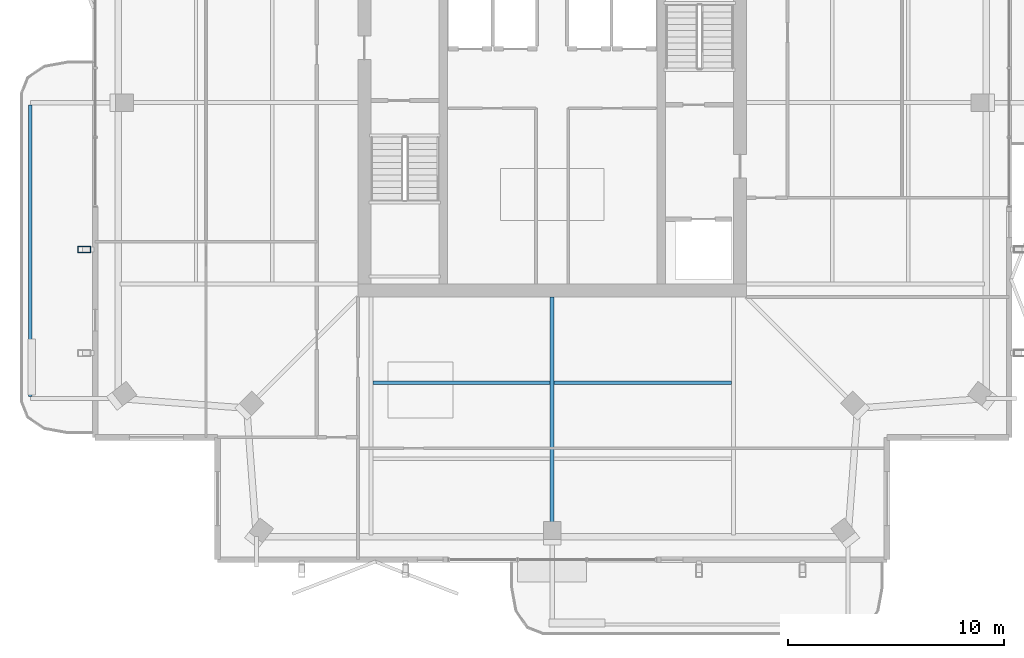
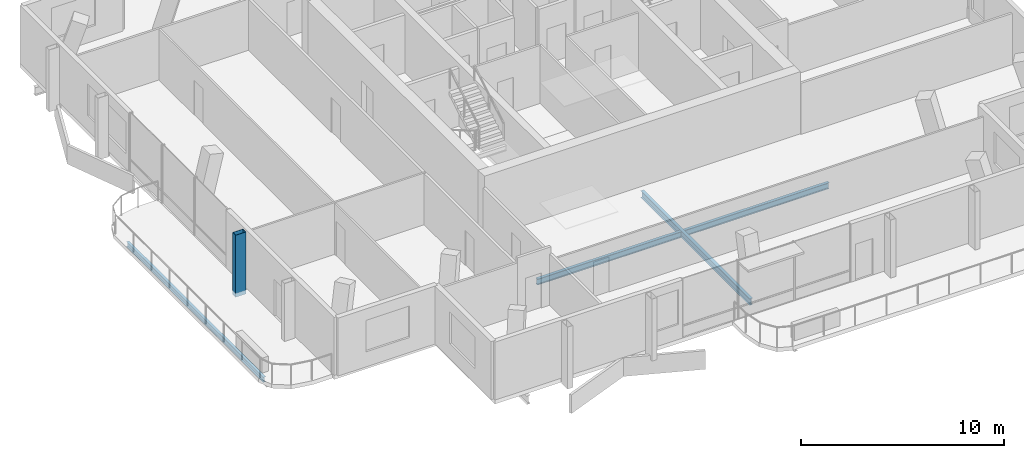
# One storey, part 5 of 20: 4 beams, 1 member.
"""IFC4 building model written with IfcOpenShell, lengths in metres."""

from ifc_helpers import new_model, si_unit, direction, frame, origin, origin_2d, place, context, subcontext, project, spatial, hollow_rectangle, i_section, extrude, material, material_profile, profile_set, type_object, element, save


model = new_model("IFC4")

# Units and contexts
model_context = context("Model", 3, precision=1e-05, world=origin(), true_north=direction((0.0, 1.0)))
body_context = subcontext(model_context, "Body", "Model", "MODEL_VIEW")
ifc_project = project(units=[si_unit("LENGTHUNIT", "METRE"), si_unit("AREAUNIT", "SQUARE_METRE"), si_unit("VOLUMEUNIT", "CUBIC_METRE"), si_unit("PLANEANGLEUNIT", "RADIAN"), si_unit("MASSUNIT", "GRAM", prefix="KILO")], contexts=[model_context])

# Site, building, storey
site_placement = place(None, origin())
site = spatial("IfcSite", under=ifc_project, at=site_placement, CompositionType="ELEMENT")
building_placement = place(site_placement, origin())
building = spatial("IfcBuilding", under=site, at=building_placement, Name="Belovzor Exchange Tower", CompositionType="ELEMENT")
storey_placement = place(building_placement, frame((0.0, 0.0, 351.75)))
storey = spatial("IfcBuildingStorey", under=building, at=storey_placement, Name="L88", CompositionType="ELEMENT", Elevation=351.75)

# Beams
ifc_material_1 = material(Name="Steel S355", Category="steel")
ifc_material_profile_1 = material_profile(ifc_material_1, i_section(OverallWidth=0.14990234375, OverallDepth=0.300048828125, WebThickness=0.007080078125, FlangeThickness=0.0107421875, at=origin_2d()))
ifc_profile_set_1 = profile_set([ifc_material_profile_1], Name="Steel S355")
beam_type_1 = type_object("IfcBeamType", Name="Planted Balcony Fascia Edge Beam IPE 300", PredefinedType="BEAM", material=ifc_profile_set_1)
beam_1_placement = place(storey_placement, frame((4.6298828125, 28.699951171875, -0.389892578125), z_axis=(0.0, -1.0, 0.0), x_axis=(1.0, 0.0, 0.0)))
element("IfcBeam", 1, at=beam_1_placement, inside=storey, type_object=beam_type_1, Name="BC-300 Planted Balcony Fascia Edge Beam IPE 300", PredefinedType="BEAM", context=body_context, shape_type="SweptSolid", body=[
    extrude(i_section(OverallWidth=0.14990234375, OverallDepth=0.300048828125, WebThickness=0.007080078125, FlangeThickness=0.0107421875, at=origin_2d()), origin(), (0.0, 0.0, 1.0), 13.5),
])
ifc_material_2 = material(Name="Steel S355", Category="steel")
ifc_material_profile_2 = material_profile(ifc_material_2, i_section(OverallWidth=0.169921875, OverallDepth=0.360107421875, WebThickness=0.008056640625, FlangeThickness=0.0126953125, at=origin_2d()))
ifc_profile_set_2 = profile_set([ifc_material_profile_2], Name="Steel S355")
beam_type_2 = type_object("IfcBeamType", Name="Secondary Infill Floor Joist IPE 360", PredefinedType="BEAM", material=ifc_profile_set_2)
beam_2_placement = place(storey_placement, frame((20.489990234375, 15.8310546875, -0.419921875), z_axis=(1.0, 0.0, 0.0), x_axis=(0.0, 1.0, 0.0)))
element("IfcBeam", 2, at=beam_2_placement, inside=storey, type_object=beam_type_2, Name="FJ-360 Secondary Infill Floor Joist IPE 360", PredefinedType="BEAM", context=body_context, shape_type="SweptSolid", body=[
    extrude(i_section(OverallWidth=0.169921875, OverallDepth=0.360107421875, WebThickness=0.008056640625, FlangeThickness=0.0126953125, at=origin_2d()), origin(), (0.0, 0.0, 1.0), 8.219970703125),
])
beam_3_placement = place(storey_placement, frame((28.889892578125, 15.8310546875, -0.419921875), z_axis=(1.0, 0.0, 0.0), x_axis=(0.0, 1.0, 0.0)))
element("IfcBeam", 3, at=beam_3_placement, inside=storey, type_object=beam_type_2, Name="FJ-360 Secondary Infill Floor Joist IPE 360", PredefinedType="BEAM", context=body_context, shape_type="SweptSolid", body=[
    extrude(i_section(OverallWidth=0.169921875, OverallDepth=0.360107421875, WebThickness=0.008056640625, FlangeThickness=0.0126953125, at=origin_2d()), origin(), (0.0, 0.0, 1.0), 8.22021484375),
])

# Member
ifc_material_3 = material(Name="Extruded Architectural Terracotta on Steel S355 Carrier", Category="masonry")
ifc_material_profile_3 = material_profile(ifc_material_3, hollow_rectangle(XDim=0.300048828125, YDim=0.60009765625, WallThickness=0.01611328125, at=origin_2d()))
ifc_profile_set_3 = profile_set([ifc_material_profile_3], Name="Extruded Architectural Terracotta on Steel S355 Carrier")
member_type = type_object("IfcMemberType", Name="Upper Crown Terracotta Fin Assembly 550", PredefinedType="USERDEFINED", material=ifc_profile_set_3)
member_placement = place(storey_placement, frame((7.125, 22.0, -0.239990234375), z_axis=(0.0, 0.0, 1.0), x_axis=(0.0, 1.0, 0.0)))
element("IfcMember", 4, at=member_placement, inside=storey, type_object=member_type, Name="FIN-TC055 Terracotta Facade Fin L88 W2", ObjectType="FIN", PredefinedType="USERDEFINED", context=body_context, shape_type="SweptSolid", body=[
    extrude(hollow_rectangle(XDim=0.300048828125, YDim=0.60009765625, WallThickness=0.01611328125, at=origin_2d()), origin(), (0.0, 0.0, 1.0), 3.72998046875),
])

# Beam
ifc_material_4 = material(Name="Steel S355", Category="steel")
ifc_material_profile_4 = material_profile(ifc_material_4, i_section(OverallWidth=0.179931640625, OverallDepth=0.39990234375, WebThickness=0.008544921875, FlangeThickness=0.013427734375, at=origin_2d()))
ifc_profile_set_4 = profile_set([ifc_material_profile_4], Name="Steel S355")
beam_type_3 = type_object("IfcBeamType", Name="Zone 5-6 Radial Composite Floor Beam IPE 400", PredefinedType="BEAM", material=ifc_profile_set_4)
beam_4_placement = place(storey_placement, frame((28.800048828125, 19.800048828125, -0.43994140625), z_axis=(0.0, -1.0, 0.0), x_axis=(1.0, 0.0, 0.0)))
element("IfcBeam", 5, at=beam_4_placement, inside=storey, type_object=beam_type_3, Name="FB-400 Zone 5-6 Radial Composite Floor Beam IPE 400", PredefinedType="BEAM", context=body_context, shape_type="SweptSolid", body=[
    extrude(i_section(OverallWidth=0.179931640625, OverallDepth=0.39990234375, WebThickness=0.008544921875, FlangeThickness=0.013427734375, at=origin_2d()), origin(), (0.0, 0.0, 1.0), 10.748046875),
])

save(model, "model.ifc")
